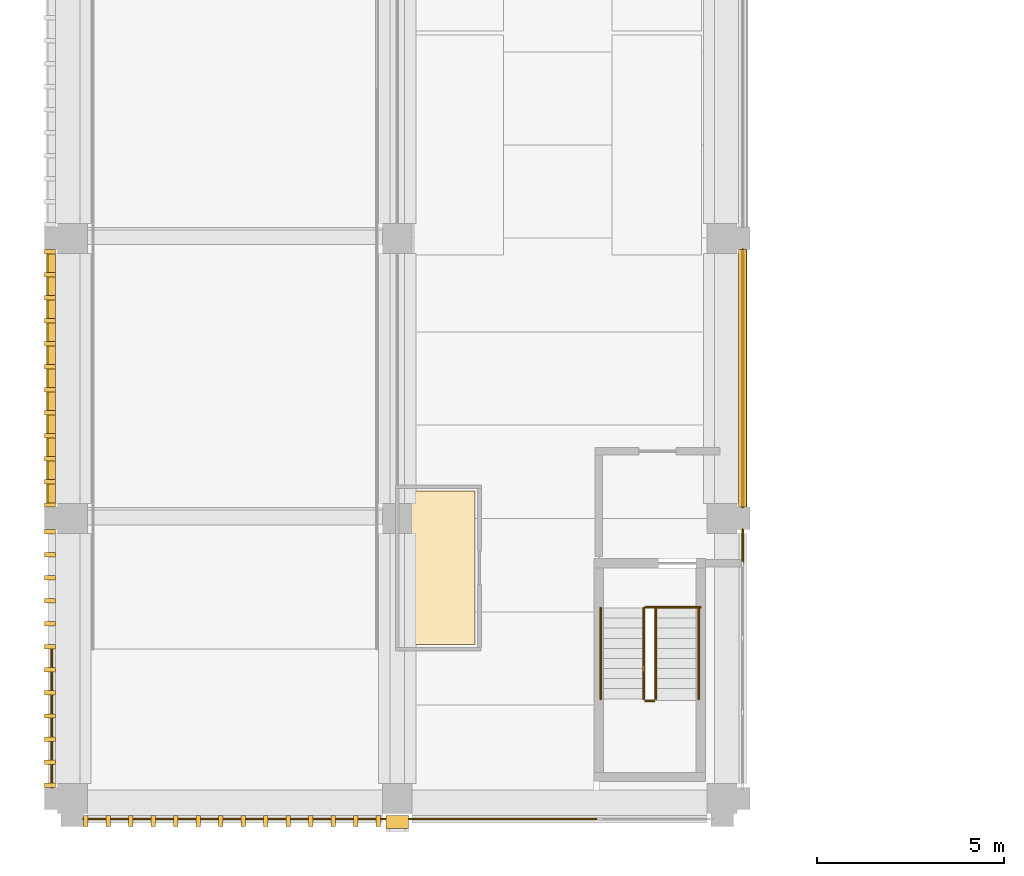
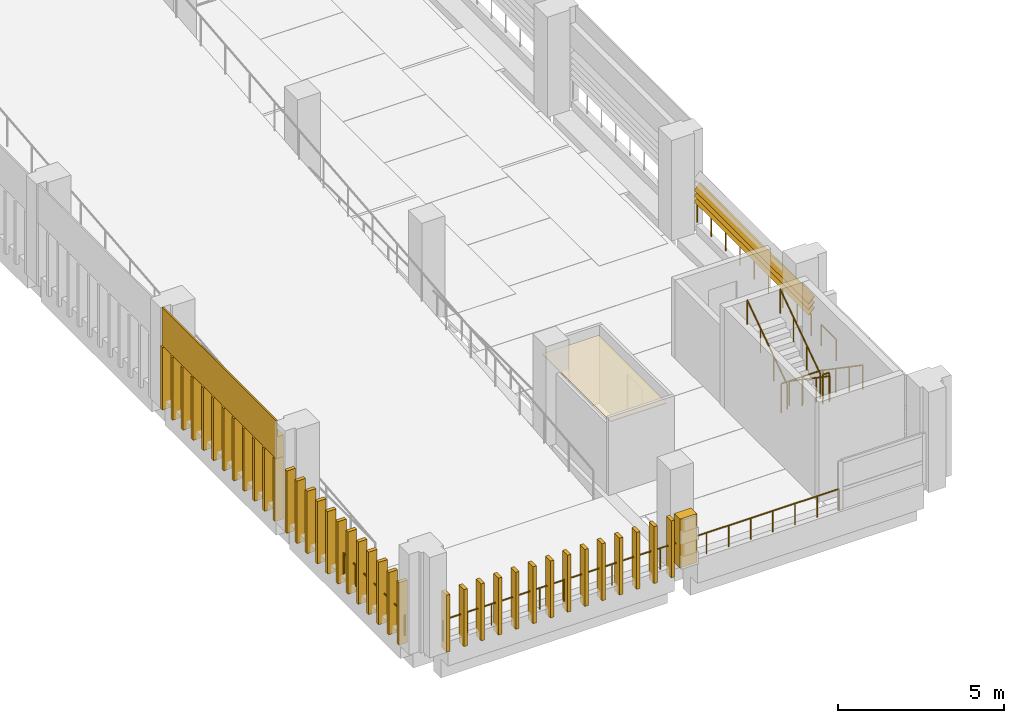
# One storey, part 41 of 52: 41 coverings, 11 railings, 3 shading devices.
"""IFC4 building model written with IfcOpenShell, lengths in metres."""

from ifc_helpers import new_model, si_unit, direction, frame, origin, origin_2d, place, context, subcontext, project, spatial, polyline, circle, outline, extrude, material, layer, layer_set, type_object, element, save


model = new_model("IFC4")

# Units and contexts
model_context = context("Model", 3, precision=1e-05, world=origin(), true_north=direction((0.0, 1.0)))
body_context = subcontext(model_context, "Body", "Model", "MODEL_VIEW")
ifc_project = project(units=[si_unit("LENGTHUNIT", "METRE"), si_unit("AREAUNIT", "SQUARE_METRE"), si_unit("VOLUMEUNIT", "CUBIC_METRE"), si_unit("PLANEANGLEUNIT", "RADIAN"), si_unit("MASSUNIT", "GRAM", prefix="KILO")], contexts=[model_context])

# Site, building, storey
site_placement = place(None, origin())
site = spatial("IfcSite", under=ifc_project, at=site_placement, CompositionType="ELEMENT")
building_placement = place(site_placement, origin())
building = spatial("IfcBuilding", under=site, at=building_placement, Name="Cour d'Honneur Mobility Palace", CompositionType="ELEMENT")
storey_placement = place(building_placement, frame((0.0, 0.0, 23.0)))
storey = spatial("IfcBuildingStorey", under=building, at=storey_placement, Name="L06", CompositionType="ELEMENT", Elevation=23.0)

# Railings
ifc_material_1 = material(Name="Painted steel", Category="steel")
railing_type_1 = type_object("IfcRailingType", Name="Balustrade", PredefinedType="BALUSTRADE", material=ifc_material_1)
railing_1_placement = place(storey_placement, frame((0.300048828125, -0.550048828125, 0.300048828125)))
element("IfcRailing", 1, at=railing_1_placement, inside=storey, type_object=railing_type_1, Name="Balustrade BAL-340", PredefinedType="BALUSTRADE", context=body_context, shape_type="SweptSolid", body=[
    extrude(circle(Radius=0.02392578125, at=origin_2d()), frame((0.0, 0.0, 0.77587890625), z_axis=(1.0, 0.0, 0.0), x_axis=(0.0, 1.0, 0.0)), (0.0, 0.0, 1.0), 8.39990234375),
    extrude(circle(Radius=0.02099609375, at=origin_2d()), origin(), (0.0, 0.0, 1.0), 0.751953125),
    extrude(circle(Radius=0.02099609375, at=origin_2d()), frame((0.840087890625, 0.0, 0.0)), (0.0, 0.0, 1.0), 0.751953125),
    extrude(circle(Radius=0.02099609375, at=origin_2d()), frame((1.679931640625, 0.0, 0.0)), (0.0, 0.0, 1.0), 0.751953125),
    extrude(circle(Radius=0.02099609375, at=origin_2d()), frame((2.52001953125, 0.0, 0.0)), (0.0, 0.0, 1.0), 0.751953125),
    extrude(circle(Radius=0.02099609375, at=origin_2d()), frame((3.35986328125, 0.0, 0.0)), (0.0, 0.0, 1.0), 0.751953125),
    extrude(circle(Radius=0.02099609375, at=origin_2d()), frame((4.199951171875, 0.0, 0.0)), (0.0, 0.0, 1.0), 0.751953125),
    extrude(circle(Radius=0.02099609375, at=origin_2d()), frame((5.0400390625, 0.0, 0.0)), (0.0, 0.0, 1.0), 0.751953125),
    extrude(circle(Radius=0.02099609375, at=origin_2d()), frame((5.8798828125, 0.0, 0.0)), (0.0, 0.0, 1.0), 0.751953125),
    extrude(circle(Radius=0.02099609375, at=origin_2d()), frame((6.719970703125, 0.0, 0.0)), (0.0, 0.0, 1.0), 0.751953125),
    extrude(circle(Radius=0.02099609375, at=origin_2d()), frame((7.559814453125, 0.0, 0.0)), (0.0, 0.0, 1.0), 0.751953125),
    extrude(circle(Radius=0.02099609375, at=origin_2d()), frame((8.39990234375, 0.0, 0.0)), (0.0, 0.0, 1.0), 0.751953125),
])
railing_2_placement = place(storey_placement, frame((8.699951171875, -0.550048828125, 0.300048828125)))
element("IfcRailing", 2, at=railing_2_placement, inside=storey, type_object=railing_type_1, Name="Balustrade BAL-341", PredefinedType="BALUSTRADE", context=body_context, shape_type="SweptSolid", body=[
    extrude(circle(Radius=0.02392578125, at=origin_2d()), frame((0.0, 0.0, 0.77587890625), z_axis=(1.0, 0.0, 0.0), x_axis=(0.0, 1.0, 0.0)), (0.0, 0.0, 1.0), 5.400146484375),
    extrude(circle(Radius=0.02099609375, at=origin_2d()), origin(), (0.0, 0.0, 1.0), 0.751953125),
    extrude(circle(Radius=0.02099609375, at=origin_2d()), frame((0.771484375, 0.0, 0.0)), (0.0, 0.0, 1.0), 0.751953125),
    extrude(circle(Radius=0.02099609375, at=origin_2d()), frame((1.54296875, 0.0, 0.0)), (0.0, 0.0, 1.0), 0.751953125),
    extrude(circle(Radius=0.02099609375, at=origin_2d()), frame((2.314453125, 0.0, 0.0)), (0.0, 0.0, 1.0), 0.751953125),
    extrude(circle(Radius=0.02099609375, at=origin_2d()), frame((3.085693359375, 0.0, 0.0)), (0.0, 0.0, 1.0), 0.751953125),
    extrude(circle(Radius=0.02099609375, at=origin_2d()), frame((3.857177734375, 0.0, 0.0)), (0.0, 0.0, 1.0), 0.751953125),
    extrude(circle(Radius=0.02099609375, at=origin_2d()), frame((4.628662109375, 0.0, 0.0)), (0.0, 0.0, 1.0), 0.751953125),
    extrude(circle(Radius=0.02099609375, at=origin_2d()), frame((5.400146484375, 0.0, 0.0)), (0.0, 0.0, 1.0), 0.751953125),
])
railing_3_placement = place(storey_placement, frame((17.949951171875, 6.300048828125, 0.300048828125)))
element("IfcRailing", 3, at=railing_3_placement, inside=storey, type_object=railing_type_1, Name="Balustrade BAL-342", PredefinedType="BALUSTRADE", context=body_context, shape_type="SweptSolid", body=[
    extrude(circle(Radius=0.02392578125, at=origin_2d()), frame((0.0, 0.0, 0.77587890625), z_axis=(0.0, 1.0, 0.0), x_axis=(-1.0, 0.0, 0.0)), (0.0, 0.0, 1.0), 0.89990234375),
    extrude(circle(Radius=0.02099609375, at=origin_2d()), origin(), (0.0, 0.0, 1.0), 0.751953125),
    extrude(circle(Radius=0.02099609375, at=origin_2d()), frame((0.0, 0.89990234375, 0.0)), (0.0, 0.0, 1.0), 0.751953125),
])
railing_4_placement = place(storey_placement, frame((17.949951171875, 7.800048828125, 0.300048828125)))
element("IfcRailing", 4, at=railing_4_placement, inside=storey, type_object=railing_type_1, Name="Balustrade BAL-343", PredefinedType="BALUSTRADE", context=body_context, shape_type="SweptSolid", body=[
    extrude(circle(Radius=0.02392578125, at=origin_2d()), frame((0.0, 0.0, 0.77587890625), z_axis=(0.0, 1.0, 0.0), x_axis=(-1.0, 0.0, 0.0)), (0.0, 0.0, 1.0), 6.89990234375),
    extrude(circle(Radius=0.02099609375, at=origin_2d()), origin(), (0.0, 0.0, 1.0), 0.751953125),
    extrude(circle(Radius=0.02099609375, at=origin_2d()), frame((0.0, 0.862548828125, 0.0)), (0.0, 0.0, 1.0), 0.751953125),
    extrude(circle(Radius=0.02099609375, at=origin_2d()), frame((0.0, 1.72509765625, 0.0)), (0.0, 0.0, 1.0), 0.751953125),
    extrude(circle(Radius=0.02099609375, at=origin_2d()), frame((0.0, 2.58740234375, 0.0)), (0.0, 0.0, 1.0), 0.751953125),
    extrude(circle(Radius=0.02099609375, at=origin_2d()), frame((0.0, 3.449951171875, 0.0)), (0.0, 0.0, 1.0), 0.751953125),
    extrude(circle(Radius=0.02099609375, at=origin_2d()), frame((0.0, 4.3125, 0.0)), (0.0, 0.0, 1.0), 0.751953125),
    extrude(circle(Radius=0.02099609375, at=origin_2d()), frame((0.0, 5.1748046875, 0.0)), (0.0, 0.0, 1.0), 0.751953125),
    extrude(circle(Radius=0.02099609375, at=origin_2d()), frame((0.0, 6.037353515625, 0.0)), (0.0, 0.0, 1.0), 0.751953125),
    extrude(circle(Radius=0.02099609375, at=origin_2d()), frame((0.0, 6.89990234375, 0.0)), (0.0, 0.0, 1.0), 0.751953125),
])
railing_5_placement = place(storey_placement, frame((-0.550048828125, 4.0, 0.300048828125)))
element("IfcRailing", 5, at=railing_5_placement, inside=storey, type_object=railing_type_1, Name="Balustrade BAL-351", PredefinedType="BALUSTRADE", context=body_context, shape_type="SweptSolid", body=[
    extrude(circle(Radius=0.02392578125, at=origin_2d()), frame((0.0, 0.0, 0.77587890625), z_axis=(0.0, -1.0, 0.0), x_axis=(1.0, 0.0, 0.0)), (0.0, 0.0, 1.0), 3.699951171875),
    extrude(circle(Radius=0.02099609375, at=origin_2d()), origin(), (0.0, 0.0, 1.0), 0.751953125),
    extrude(circle(Radius=0.02099609375, at=origin_2d()), frame((0.0, -0.739990234375, 0.0)), (0.0, 0.0, 1.0), 0.751953125),
    extrude(circle(Radius=0.02099609375, at=origin_2d()), frame((0.0, -1.47998046875, 0.0)), (0.0, 0.0, 1.0), 0.751953125),
    extrude(circle(Radius=0.02099609375, at=origin_2d()), frame((0.0, -2.219970703125, 0.0)), (0.0, 0.0, 1.0), 0.751953125),
    extrude(circle(Radius=0.02099609375, at=origin_2d()), frame((0.0, -2.9599609375, 0.0)), (0.0, 0.0, 1.0), 0.751953125),
    extrude(circle(Radius=0.02099609375, at=origin_2d()), frame((0.0, -3.699951171875, 0.0)), (0.0, 0.0, 1.0), 0.751953125),
])
ifc_material_2 = material(Name="Painted steel", Category="steel")
railing_type_2 = type_object("IfcRailingType", Name="Guardrail 1100", PredefinedType="GUARDRAIL", material=ifc_material_2)
railing_6_placement = place(storey_placement, frame((15.35009765625, 5.1201171875, 0.0)))
element("IfcRailing", 6, at=railing_6_placement, inside=storey, type_object=railing_type_2, Name="Guard ST-RW1", PredefinedType="GUARDRAIL", context=body_context, shape_type="SweptSolid", body=[
    extrude(circle(Radius=0.02490234375, at=origin_2d()), frame((0.0, 0.0, 1.0751953125), z_axis=(1.0, 0.0, 0.0), x_axis=(0.0, 1.0, 0.0)), (0.0, 0.0, 1.0), 1.474853515625),
    extrude(circle(Radius=0.02099609375, at=origin_2d()), origin(), (0.0, 0.0, 1.0), 1.050048828125),
    extrude(circle(Radius=0.02099609375, at=origin_2d()), frame((0.7373046875, 0.0, 0.0)), (0.0, 0.0, 1.0), 1.050048828125),
    extrude(circle(Radius=0.02099609375, at=origin_2d()), frame((1.474853515625, 0.0, 0.0)), (0.0, 0.0, 1.0), 1.050048828125),
])
railing_7_placement = place(storey_placement, frame((15.35009765625, 2.610107421875, 1.85009765625)))
element("IfcRailing", 7, at=railing_7_placement, inside=storey, type_object=railing_type_2, Name="Landing guard ST-RW1", PredefinedType="GUARDRAIL", context=body_context, shape_type="SweptSolid", body=[
    extrude(circle(Radius=0.02490234375, at=origin_2d()), frame((0.0, 0.0, 1.0751953125), z_axis=(1.0, 0.0, 0.0), x_axis=(0.0, 1.0, 0.0)), (0.0, 0.0, 1.0), 0.224853515625),
    extrude(circle(Radius=0.02099609375, at=origin_2d()), origin(), (0.0, 0.0, 1.0), 1.050048828125),
    extrude(circle(Radius=0.02099609375, at=origin_2d()), frame((0.224853515625, 0.0, 0.0)), (0.0, 0.0, 1.0), 1.050048828125),
])
ifc_material_3 = material(Name="Stainless steel", Category="steel")
railing_type_3 = type_object("IfcRailingType", Name="Handrail round 50", PredefinedType="HANDRAIL", material=ifc_material_3)
for number, where, name in (
    (8, (16.77490234375, 5.10009765625, 0.18505859375), "Handrail ST-RW1"),
    (9, (15.625, 5.10009765625, 0.18505859375), "Handrail ST-RW1"),
):
    element("IfcRailing", number, at=place(storey_placement, frame(where)), inside=storey, type_object=railing_type_3, Name=name, PredefinedType="HANDRAIL", context=body_context, shape_type="SweptSolid", body=[
        extrude(circle(Radius=0.02490234375, at=origin_2d()), frame((0.0, 0.0, 0.89501953125), z_axis=(0.0, -0.824945253146, 0.565212640793), x_axis=(1.0, 0.0, 0.0)), (0.0, 0.0, 1.0), 2.94580078125),
        extrude(circle(Radius=0.02099609375, at=origin_2d()), origin(), (0.0, 0.0, 1.0), 0.869873046875),
        extrude(circle(Radius=0.02099609375, at=origin_2d()), frame((0.0, -0.81005859375, 0.554931640625)), (0.0, 0.0, 1.0), 0.869873046875),
        extrude(circle(Radius=0.02099609375, at=origin_2d()), frame((0.0, -1.6201171875, 1.110107421875)), (0.0, 0.0, 1.0), 0.869873046875),
        extrude(circle(Radius=0.02099609375, at=origin_2d()), frame((0.0, -2.43017578125, 1.6650390625)), (0.0, 0.0, 1.0), 0.869873046875),
    ])
for number, where, name in (
    (10, (15.300048828125, 2.669921875, 2.034912109375), "Handrail ST-RW1"),
    (11, (14.14990234375, 2.669921875, 2.034912109375), "Handrail ST-RW1"),
):
    element("IfcRailing", number, at=place(storey_placement, frame(where)), inside=storey, type_object=railing_type_3, Name=name, PredefinedType="HANDRAIL", context=body_context, shape_type="SweptSolid", body=[
        extrude(circle(Radius=0.02490234375, at=origin_2d()), frame((0.0, 0.0, 0.89501953125), z_axis=(0.0, 0.824945253146, 0.565212640793), x_axis=(-1.0, 0.0, 0.0)), (0.0, 0.0, 1.0), 2.94580078125),
        extrude(circle(Radius=0.02099609375, at=origin_2d()), origin(), (0.0, 0.0, 1.0), 0.869873046875),
        extrude(circle(Radius=0.02099609375, at=origin_2d()), frame((0.0, 0.81005859375, 0.554931640625)), (0.0, 0.0, 1.0), 0.869873046875),
        extrude(circle(Radius=0.02099609375, at=origin_2d()), frame((0.0, 1.6201171875, 1.110107421875)), (0.0, 0.0, 1.0), 0.869873046875),
        extrude(circle(Radius=0.02099609375, at=origin_2d()), frame((0.0, 2.43017578125, 1.6650390625)), (0.0, 0.0, 1.0), 0.869873046875),
    ])

# Coverings
ifc_material_4 = material(Name="Cast limestone", Category="masonry")
ifc_layer_1 = layer(ifc_material_4, 0.35009765625)
ifc_layer_set_1 = layer_set([ifc_layer_1], Name="Cast limestone")
covering_type_1 = type_object("IfcCoveringType", Name="Pier pilaster", PredefinedType="CLADDING", material=ifc_layer_set_1)
covering_1_placement = place(storey_placement, frame((0.0, 0.0, 0.300048828125)))
element("IfcCovering", 12, at=covering_1_placement, inside=storey, type_object=covering_type_1, Name="Pier pilaster PN-11", PredefinedType="CLADDING", context=body_context, shape_type="SweptSolid", body=[
    extrude(outline(polyline([(8.39990234375, -0.449951171875), (9.0, -0.449951171875), (9.0, -0.800048828125), (8.39990234375, -0.800048828125), (8.39990234375, -0.449951171875)])), origin(), (0.0, 0.0, 1.0), 1.800048828125),
])
ifc_material_5 = material(Name="Cast limestone", Category="masonry")
ifc_layer_2 = layer(ifc_material_5, 0.1201171875)
ifc_layer_set_2 = layer_set([ifc_layer_2], Name="Cast limestone")
covering_type_2 = type_object("IfcCoveringType", Name="Ramp screen fin", PredefinedType="CLADDING", material=ifc_layer_set_2)
covering_2_placement = place(storey_placement, origin())
element("IfcCovering", 13, at=covering_2_placement, inside=storey, type_object=covering_type_2, Name="Ramp screen fin S0.0 L06 1", PredefinedType="CLADDING", context=body_context, shape_type="SweptSolid", body=[
    extrude(outline(polyline([(0.300048828125, -0.449951171875), (0.419921875, -0.449951171875), (0.419921875, -0.75), (0.300048828125, -0.75), (0.300048828125, -0.449951171875)])), origin(), (0.0, 0.0, 1.0), 2.10009765625),
])
covering_3_placement = place(storey_placement, origin())
element("IfcCovering", 14, at=covering_3_placement, inside=storey, type_object=covering_type_2, Name="Ramp screen fin S0.0 L06 2", PredefinedType="CLADDING", context=body_context, shape_type="SweptSolid", body=[
    extrude(outline(polyline([(0.90234375, -0.449951171875), (1.022216796875, -0.449951171875), (1.022216796875, -0.75), (0.90234375, -0.75), (0.90234375, -0.449951171875)])), origin(), (0.0, 0.0, 1.0), 2.10009765625),
])
covering_4_placement = place(storey_placement, origin())
element("IfcCovering", 15, at=covering_4_placement, inside=storey, type_object=covering_type_2, Name="Ramp screen fin S0.0 L06 3", PredefinedType="CLADDING", context=body_context, shape_type="SweptSolid", body=[
    extrude(outline(polyline([(1.504638671875, -0.449951171875), (1.62451171875, -0.449951171875), (1.62451171875, -0.75), (1.504638671875, -0.75), (1.504638671875, -0.449951171875)])), origin(), (0.0, 0.0, 1.0), 2.10009765625),
])
covering_5_placement = place(storey_placement, origin())
element("IfcCovering", 16, at=covering_5_placement, inside=storey, type_object=covering_type_2, Name="Ramp screen fin S0.0 L06 4", PredefinedType="CLADDING", context=body_context, shape_type="SweptSolid", body=[
    extrude(outline(polyline([(2.10693359375, -0.449951171875), (2.226806640625, -0.449951171875), (2.226806640625, -0.75), (2.10693359375, -0.75), (2.10693359375, -0.449951171875)])), origin(), (0.0, 0.0, 1.0), 2.10009765625),
])
covering_6_placement = place(storey_placement, origin())
element("IfcCovering", 17, at=covering_6_placement, inside=storey, type_object=covering_type_2, Name="Ramp screen fin S0.0 L06 5", PredefinedType="CLADDING", context=body_context, shape_type="SweptSolid", body=[
    extrude(outline(polyline([(2.709228515625, -0.449951171875), (2.829345703125, -0.449951171875), (2.829345703125, -0.75), (2.709228515625, -0.75), (2.709228515625, -0.449951171875)])), origin(), (0.0, 0.0, 1.0), 2.10009765625),
])
covering_7_placement = place(storey_placement, origin())
element("IfcCovering", 18, at=covering_7_placement, inside=storey, type_object=covering_type_2, Name="Ramp screen fin S0.0 L06 6", PredefinedType="CLADDING", context=body_context, shape_type="SweptSolid", body=[
    extrude(outline(polyline([(3.3115234375, -0.449951171875), (3.431640625, -0.449951171875), (3.431640625, -0.75), (3.3115234375, -0.75), (3.3115234375, -0.449951171875)])), origin(), (0.0, 0.0, 1.0), 2.10009765625),
])
covering_8_placement = place(storey_placement, origin())
element("IfcCovering", 19, at=covering_8_placement, inside=storey, type_object=covering_type_2, Name="Ramp screen fin S0.0 L06 7", PredefinedType="CLADDING", context=body_context, shape_type="SweptSolid", body=[
    extrude(outline(polyline([(3.913818359375, -0.449951171875), (4.033935546875, -0.449951171875), (4.033935546875, -0.75), (3.913818359375, -0.75), (3.913818359375, -0.449951171875)])), origin(), (0.0, 0.0, 1.0), 2.10009765625),
])
covering_9_placement = place(storey_placement, origin())
element("IfcCovering", 20, at=covering_9_placement, inside=storey, type_object=covering_type_2, Name="Ramp screen fin S0.0 L06 8", PredefinedType="CLADDING", context=body_context, shape_type="SweptSolid", body=[
    extrude(outline(polyline([(4.51611328125, -0.449951171875), (4.63623046875, -0.449951171875), (4.63623046875, -0.75), (4.51611328125, -0.75), (4.51611328125, -0.449951171875)])), origin(), (0.0, 0.0, 1.0), 2.10009765625),
])
covering_10_placement = place(storey_placement, origin())
element("IfcCovering", 21, at=covering_10_placement, inside=storey, type_object=covering_type_2, Name="Ramp screen fin S0.0 L06 9", PredefinedType="CLADDING", context=body_context, shape_type="SweptSolid", body=[
    extrude(outline(polyline([(5.118408203125, -0.449951171875), (5.238525390625, -0.449951171875), (5.238525390625, -0.75), (5.118408203125, -0.75), (5.118408203125, -0.449951171875)])), origin(), (0.0, 0.0, 1.0), 2.10009765625),
])
covering_11_placement = place(storey_placement, origin())
element("IfcCovering", 22, at=covering_11_placement, inside=storey, type_object=covering_type_2, Name="Ramp screen fin S0.0 L06 10", PredefinedType="CLADDING", context=body_context, shape_type="SweptSolid", body=[
    extrude(outline(polyline([(5.720703125, -0.449951171875), (5.8408203125, -0.449951171875), (5.8408203125, -0.75), (5.720703125, -0.75), (5.720703125, -0.449951171875)])), origin(), (0.0, 0.0, 1.0), 2.10009765625),
])
covering_12_placement = place(storey_placement, origin())
element("IfcCovering", 23, at=covering_12_placement, inside=storey, type_object=covering_type_2, Name="Ramp screen fin S0.0 L06 11", PredefinedType="CLADDING", context=body_context, shape_type="SweptSolid", body=[
    extrude(outline(polyline([(6.322998046875, -0.449951171875), (6.443115234375, -0.449951171875), (6.443115234375, -0.75), (6.322998046875, -0.75), (6.322998046875, -0.449951171875)])), origin(), (0.0, 0.0, 1.0), 2.10009765625),
])
covering_13_placement = place(storey_placement, origin())
element("IfcCovering", 24, at=covering_13_placement, inside=storey, type_object=covering_type_2, Name="Ramp screen fin S0.0 L06 12", PredefinedType="CLADDING", context=body_context, shape_type="SweptSolid", body=[
    extrude(outline(polyline([(6.92529296875, -0.449951171875), (7.04541015625, -0.449951171875), (7.04541015625, -0.75), (6.92529296875, -0.75), (6.92529296875, -0.449951171875)])), origin(), (0.0, 0.0, 1.0), 2.10009765625),
])
covering_14_placement = place(storey_placement, origin())
element("IfcCovering", 25, at=covering_14_placement, inside=storey, type_object=covering_type_2, Name="Ramp screen fin S0.0 L06 13", PredefinedType="CLADDING", context=body_context, shape_type="SweptSolid", body=[
    extrude(outline(polyline([(7.527587890625, -0.449951171875), (7.647705078125, -0.449951171875), (7.647705078125, -0.75), (7.527587890625, -0.75), (7.527587890625, -0.449951171875)])), origin(), (0.0, 0.0, 1.0), 2.10009765625),
])
covering_15_placement = place(storey_placement, origin())
element("IfcCovering", 26, at=covering_15_placement, inside=storey, type_object=covering_type_2, Name="Ramp screen fin S0.0 L06 14", PredefinedType="CLADDING", context=body_context, shape_type="SweptSolid", body=[
    extrude(outline(polyline([(8.1298828125, -0.449951171875), (8.25, -0.449951171875), (8.25, -0.75), (8.1298828125, -0.75), (8.1298828125, -0.449951171875)])), origin(), (0.0, 0.0, 1.0), 2.10009765625),
])
covering_16_placement = place(storey_placement, origin())
element("IfcCovering", 27, at=covering_16_placement, inside=storey, type_object=covering_type_2, Name="Ramp screen fin W3.5 L06 1", PredefinedType="CLADDING", context=body_context, shape_type="SweptSolid", body=[
    extrude(outline(polyline([(-0.449951171875, 14.699951171875), (-0.449951171875, 14.580078125), (-0.75, 14.580078125), (-0.75, 14.699951171875), (-0.449951171875, 14.699951171875)])), origin(), (0.0, 0.0, 1.0), 2.300048828125),
])
covering_17_placement = place(storey_placement, origin())
element("IfcCovering", 28, at=covering_17_placement, inside=storey, type_object=covering_type_2, Name="Ramp screen fin W3.5 L06 2", PredefinedType="CLADDING", context=body_context, shape_type="SweptSolid", body=[
    extrude(outline(polyline([(-0.449951171875, 14.083740234375), (-0.449951171875, 13.963623046875), (-0.75, 13.963623046875), (-0.75, 14.083740234375), (-0.449951171875, 14.083740234375)])), origin(), (0.0, 0.0, 1.0), 2.300048828125),
])
covering_18_placement = place(storey_placement, origin())
element("IfcCovering", 29, at=covering_18_placement, inside=storey, type_object=covering_type_2, Name="Ramp screen fin W3.5 L06 3", PredefinedType="CLADDING", context=body_context, shape_type="SweptSolid", body=[
    extrude(outline(polyline([(-0.449951171875, 13.46728515625), (-0.449951171875, 13.34716796875), (-0.75, 13.34716796875), (-0.75, 13.46728515625), (-0.449951171875, 13.46728515625)])), origin(), (0.0, 0.0, 1.0), 2.300048828125),
])
covering_19_placement = place(storey_placement, origin())
element("IfcCovering", 30, at=covering_19_placement, inside=storey, type_object=covering_type_2, Name="Ramp screen fin W3.5 L06 4", PredefinedType="CLADDING", context=body_context, shape_type="SweptSolid", body=[
    extrude(outline(polyline([(-0.449951171875, 12.850830078125), (-0.449951171875, 12.73095703125), (-0.75, 12.73095703125), (-0.75, 12.850830078125), (-0.449951171875, 12.850830078125)])), origin(), (0.0, 0.0, 1.0), 2.300048828125),
])
covering_20_placement = place(storey_placement, origin())
element("IfcCovering", 31, at=covering_20_placement, inside=storey, type_object=covering_type_2, Name="Ramp screen fin W3.5 L06 5", PredefinedType="CLADDING", context=body_context, shape_type="SweptSolid", body=[
    extrude(outline(polyline([(-0.449951171875, 12.234619140625), (-0.449951171875, 12.114501953125), (-0.75, 12.114501953125), (-0.75, 12.234619140625), (-0.449951171875, 12.234619140625)])), origin(), (0.0, 0.0, 1.0), 2.300048828125),
])
covering_21_placement = place(storey_placement, origin())
element("IfcCovering", 32, at=covering_21_placement, inside=storey, type_object=covering_type_2, Name="Ramp screen fin W3.5 L06 6", PredefinedType="CLADDING", context=body_context, shape_type="SweptSolid", body=[
    extrude(outline(polyline([(-0.449951171875, 11.6181640625), (-0.449951171875, 11.498291015625), (-0.75, 11.498291015625), (-0.75, 11.6181640625), (-0.449951171875, 11.6181640625)])), origin(), (0.0, 0.0, 1.0), 2.300048828125),
])
covering_22_placement = place(storey_placement, origin())
element("IfcCovering", 33, at=covering_22_placement, inside=storey, type_object=covering_type_2, Name="Ramp screen fin W3.5 L06 7", PredefinedType="CLADDING", context=body_context, shape_type="SweptSolid", body=[
    extrude(outline(polyline([(-0.449951171875, 11.001708984375), (-0.449951171875, 10.8818359375), (-0.75, 10.8818359375), (-0.75, 11.001708984375), (-0.449951171875, 11.001708984375)])), origin(), (0.0, 0.0, 1.0), 2.300048828125),
])
covering_23_placement = place(storey_placement, origin())
element("IfcCovering", 34, at=covering_23_placement, inside=storey, type_object=covering_type_2, Name="Ramp screen fin W3.5 L06 8", PredefinedType="CLADDING", context=body_context, shape_type="SweptSolid", body=[
    extrude(outline(polyline([(-0.449951171875, 10.385498046875), (-0.449951171875, 10.265380859375), (-0.75, 10.265380859375), (-0.75, 10.385498046875), (-0.449951171875, 10.385498046875)])), origin(), (0.0, 0.0, 1.0), 2.300048828125),
])
covering_24_placement = place(storey_placement, origin())
element("IfcCovering", 35, at=covering_24_placement, inside=storey, type_object=covering_type_2, Name="Ramp screen fin W3.5 L06 9", PredefinedType="CLADDING", context=body_context, shape_type="SweptSolid", body=[
    extrude(outline(polyline([(-0.449951171875, 9.76904296875), (-0.449951171875, 9.649169921875), (-0.75, 9.649169921875), (-0.75, 9.76904296875), (-0.449951171875, 9.76904296875)])), origin(), (0.0, 0.0, 1.0), 2.300048828125),
])
covering_25_placement = place(storey_placement, origin())
element("IfcCovering", 36, at=covering_25_placement, inside=storey, type_object=covering_type_2, Name="Ramp screen fin W3.5 L06 10", PredefinedType="CLADDING", context=body_context, shape_type="SweptSolid", body=[
    extrude(outline(polyline([(-0.449951171875, 9.15283203125), (-0.449951171875, 9.03271484375), (-0.75, 9.03271484375), (-0.75, 9.15283203125), (-0.449951171875, 9.15283203125)])), origin(), (0.0, 0.0, 1.0), 2.300048828125),
])
covering_26_placement = place(storey_placement, origin())
element("IfcCovering", 37, at=covering_26_placement, inside=storey, type_object=covering_type_2, Name="Ramp screen fin W3.5 L06 11", PredefinedType="CLADDING", context=body_context, shape_type="SweptSolid", body=[
    extrude(outline(polyline([(-0.449951171875, 8.536376953125), (-0.449951171875, 8.416259765625), (-0.75, 8.416259765625), (-0.75, 8.536376953125), (-0.449951171875, 8.536376953125)])), origin(), (0.0, 0.0, 1.0), 2.300048828125),
])
covering_27_placement = place(storey_placement, origin())
element("IfcCovering", 38, at=covering_27_placement, inside=storey, type_object=covering_type_2, Name="Ramp screen fin W3.5 L06 12", PredefinedType="CLADDING", context=body_context, shape_type="SweptSolid", body=[
    extrude(outline(polyline([(-0.449951171875, 7.919921875), (-0.449951171875, 7.800048828125), (-0.75, 7.800048828125), (-0.75, 7.919921875), (-0.449951171875, 7.919921875)])), origin(), (0.0, 0.0, 1.0), 2.300048828125),
])
covering_28_placement = place(storey_placement, origin())
element("IfcCovering", 39, at=covering_28_placement, inside=storey, type_object=covering_type_2, Name="Ramp screen fin W3.6 L06 1", PredefinedType="CLADDING", context=body_context, shape_type="SweptSolid", body=[
    extrude(outline(polyline([(-0.449951171875, 7.199951171875), (-0.449951171875, 7.080078125), (-0.75, 7.080078125), (-0.75, 7.199951171875), (-0.449951171875, 7.199951171875)])), origin(), (0.0, 0.0, 1.0), 2.300048828125),
])
covering_29_placement = place(storey_placement, origin())
element("IfcCovering", 40, at=covering_29_placement, inside=storey, type_object=covering_type_2, Name="Ramp screen fin W3.6 L06 2", PredefinedType="CLADDING", context=body_context, shape_type="SweptSolid", body=[
    extrude(outline(polyline([(-0.449951171875, 6.583740234375), (-0.449951171875, 6.463623046875), (-0.75, 6.463623046875), (-0.75, 6.583740234375), (-0.449951171875, 6.583740234375)])), origin(), (0.0, 0.0, 1.0), 2.300048828125),
])
covering_30_placement = place(storey_placement, origin())
element("IfcCovering", 41, at=covering_30_placement, inside=storey, type_object=covering_type_2, Name="Ramp screen fin W3.6 L06 3", PredefinedType="CLADDING", context=body_context, shape_type="SweptSolid", body=[
    extrude(outline(polyline([(-0.449951171875, 5.96728515625), (-0.449951171875, 5.84716796875), (-0.75, 5.84716796875), (-0.75, 5.96728515625), (-0.449951171875, 5.96728515625)])), origin(), (0.0, 0.0, 1.0), 2.300048828125),
])
covering_31_placement = place(storey_placement, origin())
element("IfcCovering", 42, at=covering_31_placement, inside=storey, type_object=covering_type_2, Name="Ramp screen fin W3.6 L06 4", PredefinedType="CLADDING", context=body_context, shape_type="SweptSolid", body=[
    extrude(outline(polyline([(-0.449951171875, 5.350830078125), (-0.449951171875, 5.23095703125), (-0.75, 5.23095703125), (-0.75, 5.350830078125), (-0.449951171875, 5.350830078125)])), origin(), (0.0, 0.0, 1.0), 2.300048828125),
])
covering_32_placement = place(storey_placement, origin())
element("IfcCovering", 43, at=covering_32_placement, inside=storey, type_object=covering_type_2, Name="Ramp screen fin W3.6 L06 5", PredefinedType="CLADDING", context=body_context, shape_type="SweptSolid", body=[
    extrude(outline(polyline([(-0.449951171875, 4.734619140625), (-0.449951171875, 4.614501953125), (-0.75, 4.614501953125), (-0.75, 4.734619140625), (-0.449951171875, 4.734619140625)])), origin(), (0.0, 0.0, 1.0), 2.300048828125),
])
covering_33_placement = place(storey_placement, origin())
element("IfcCovering", 44, at=covering_33_placement, inside=storey, type_object=covering_type_2, Name="Ramp screen fin W3.6 L06 6", PredefinedType="CLADDING", context=body_context, shape_type="SweptSolid", body=[
    extrude(outline(polyline([(-0.449951171875, 4.1181640625), (-0.449951171875, 3.998291015625), (-0.75, 3.998291015625), (-0.75, 4.1181640625), (-0.449951171875, 4.1181640625)])), origin(), (0.0, 0.0, 1.0), 2.300048828125),
])
covering_34_placement = place(storey_placement, origin())
element("IfcCovering", 45, at=covering_34_placement, inside=storey, type_object=covering_type_2, Name="Ramp screen fin W3.6 L06 7", PredefinedType="CLADDING", context=body_context, shape_type="SweptSolid", body=[
    extrude(outline(polyline([(-0.449951171875, 3.501708984375), (-0.449951171875, 3.3818359375), (-0.75, 3.3818359375), (-0.75, 3.501708984375), (-0.449951171875, 3.501708984375)])), origin(), (0.0, 0.0, 1.0), 2.300048828125),
])
covering_35_placement = place(storey_placement, origin())
element("IfcCovering", 46, at=covering_35_placement, inside=storey, type_object=covering_type_2, Name="Ramp screen fin W3.6 L06 8", PredefinedType="CLADDING", context=body_context, shape_type="SweptSolid", body=[
    extrude(outline(polyline([(-0.449951171875, 2.885498046875), (-0.449951171875, 2.765380859375), (-0.75, 2.765380859375), (-0.75, 2.885498046875), (-0.449951171875, 2.885498046875)])), origin(), (0.0, 0.0, 1.0), 2.300048828125),
])
covering_36_placement = place(storey_placement, origin())
element("IfcCovering", 47, at=covering_36_placement, inside=storey, type_object=covering_type_2, Name="Ramp screen fin W3.6 L06 9", PredefinedType="CLADDING", context=body_context, shape_type="SweptSolid", body=[
    extrude(outline(polyline([(-0.449951171875, 2.26904296875), (-0.449951171875, 2.149169921875), (-0.75, 2.149169921875), (-0.75, 2.26904296875), (-0.449951171875, 2.26904296875)])), origin(), (0.0, 0.0, 1.0), 2.300048828125),
])
covering_37_placement = place(storey_placement, origin())
element("IfcCovering", 48, at=covering_37_placement, inside=storey, type_object=covering_type_2, Name="Ramp screen fin W3.6 L06 10", PredefinedType="CLADDING", context=body_context, shape_type="SweptSolid", body=[
    extrude(outline(polyline([(-0.449951171875, 1.65283203125), (-0.449951171875, 1.53271484375), (-0.75, 1.53271484375), (-0.75, 1.65283203125), (-0.449951171875, 1.65283203125)])), origin(), (0.0, 0.0, 1.0), 2.300048828125),
])
covering_38_placement = place(storey_placement, origin())
element("IfcCovering", 49, at=covering_38_placement, inside=storey, type_object=covering_type_2, Name="Ramp screen fin W3.6 L06 11", PredefinedType="CLADDING", context=body_context, shape_type="SweptSolid", body=[
    extrude(outline(polyline([(-0.449951171875, 1.036376953125), (-0.449951171875, 0.916259765625), (-0.75, 0.916259765625), (-0.75, 1.036376953125), (-0.449951171875, 1.036376953125)])), origin(), (0.0, 0.0, 1.0), 2.300048828125),
])
covering_39_placement = place(storey_placement, origin())
element("IfcCovering", 50, at=covering_39_placement, inside=storey, type_object=covering_type_2, Name="Ramp screen fin W3.6 L06 12", PredefinedType="CLADDING", context=body_context, shape_type="SweptSolid", body=[
    extrude(outline(polyline([(-0.449951171875, 0.419921875), (-0.449951171875, 0.300048828125), (-0.75, 0.300048828125), (-0.75, 0.419921875), (-0.449951171875, 0.419921875)])), origin(), (0.0, 0.0, 1.0), 2.300048828125),
])
ifc_material_6 = material(Name="Cast limestone", Category="masonry")
ifc_layer_3 = layer(ifc_material_6, 0.25)
ifc_layer_set_3 = layer_set([ifc_layer_3], Name="Cast limestone")
covering_type_3 = type_object("IfcCoveringType", Name="Spandrel cladding", PredefinedType="CLADDING", material=ifc_layer_set_3)
covering_40_placement = place(storey_placement, frame((-0.449951171875, 14.699951171875, 2.300048828125), z_axis=(0.0, 1.0, 0.0), x_axis=(-1.0, 0.0, 0.0)))
element("IfcCovering", 51, at=covering_40_placement, inside=storey, type_object=covering_type_3, Name="Spandrel cladding SK-367", PredefinedType="CLADDING", context=body_context, shape_type="SweptSolid", body=[
    extrude(outline(polyline([(0.0, 0.0), (0.25, 0.0), (0.25, 1.39990234375), (0.199951171875, 1.39990234375), (0.199951171875, 0.800048828125), (0.0, 0.800048828125), (0.0, 0.0)])), origin(), (0.0, 0.0, -1.0), 6.89990234375),
])
ifc_material_7 = material(Name="Suspended ceiling")
ifc_layer_4 = layer(ifc_material_7, 0.030029296875)
ifc_layer_set_4 = layer_set([ifc_layer_4], Name="Suspended ceiling")
covering_type_4 = type_object("IfcCoveringType", Name="Suspended ceiling", PredefinedType="CEILING", material=ifc_layer_set_4)
covering_41_placement = place(storey_placement, frame((0.0, 0.0, 2.550048828125)))
element("IfcCovering", 52, at=covering_41_placement, inside=storey, type_object=covering_type_4, Name="Ceiling Valet Handover West", PredefinedType="CEILING", context=body_context, shape_type="SweptSolid", body=[
    extrude(outline(polyline([(10.780029296875, 4.1201171875), (8.820068359375, 4.1201171875), (8.820068359375, 8.22998046875), (10.780029296875, 8.22998046875), (10.780029296875, 4.1201171875)])), origin(), (0.0, 0.0, 1.0), 0.030029296875),
])

# Shading devices
ifc_material_8 = material(Name="Terracotta", Category="masonry")
ifc_layer_5 = layer(ifc_material_8, 0.02490234375)
ifc_layer_set_5 = layer_set([ifc_layer_5], Name="Terracotta")
shading_device_type = type_object("IfcShadingDeviceType", Name="Terracotta louvre blade", PredefinedType="JALOUSIE", material=ifc_layer_set_5)
shading_device_placement = place(storey_placement, frame((17.843994140625, 7.800048828125, 1.10009765625), z_axis=(-0.706699578995, 0.0, 0.707513749017), x_axis=(0.0, 1.0, 0.0)))
element("IfcShadingDevice", 53, at=shading_device_placement, inside=storey, type_object=shading_device_type, Name="Louvre blade LV-1 E1.1 L06 1", PredefinedType="JALOUSIE", context=body_context, shape_type="SweptSolid", body=[
    extrude(outline(polyline([(0.0, 0.0), (6.89990234375, 0.0), (6.89990234375, -0.29986442442957895), (0.0, -0.29986442442957895), (0.0, 0.0)])), origin(), (0.0, 0.0, -1.0), 0.02490234375),
])
for number, where, z_axis, x_axis, name in (
    (54, (17.843994140625, 7.800048828125, 1.31201171875), (-0.707106781187, 0.0, 0.707106781187), (0.0, 1.0, 0.0), "Louvre blade LV-1 E1.1 L06 2"),
    (55, (17.843994140625, 7.800048828125, 1.524169921875), (-0.707106781187, 0.0, 0.707106781187), (0.0, 1.0, 0.0), "Louvre blade LV-1 E1.1 L06 3"),
):
    element("IfcShadingDevice", number, at=place(storey_placement, frame(where, z_axis=z_axis, x_axis=x_axis)), inside=storey, type_object=shading_device_type, Name=name, PredefinedType="JALOUSIE", context=body_context, shape_type="SweptSolid", body=[
        extrude(outline(polyline([(0.0, 0.0), (6.89990234375, 0.0), (6.89990234375, -0.300037008228081), (0.0, -0.300037008228081), (0.0, 0.0)])), origin(), (0.0, 0.0, -1.0), 0.02490234375),
    ])

save(model, "model.ifc")
